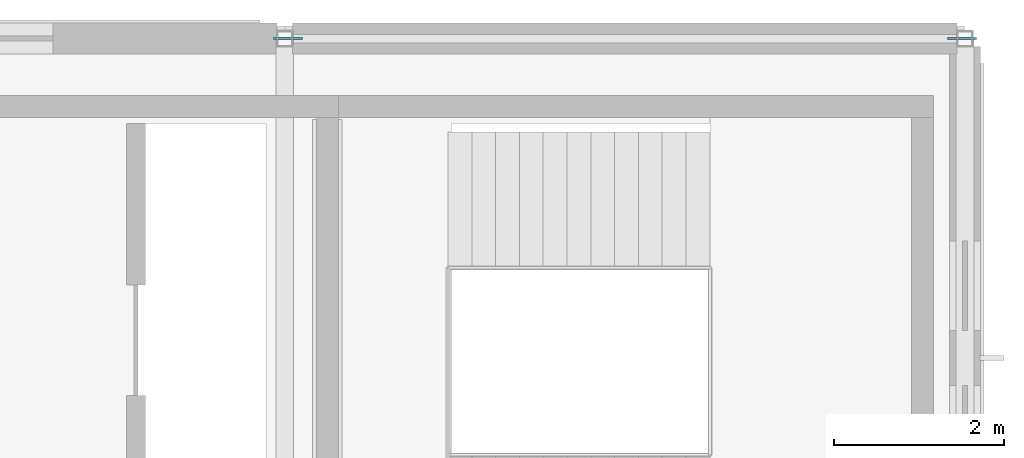
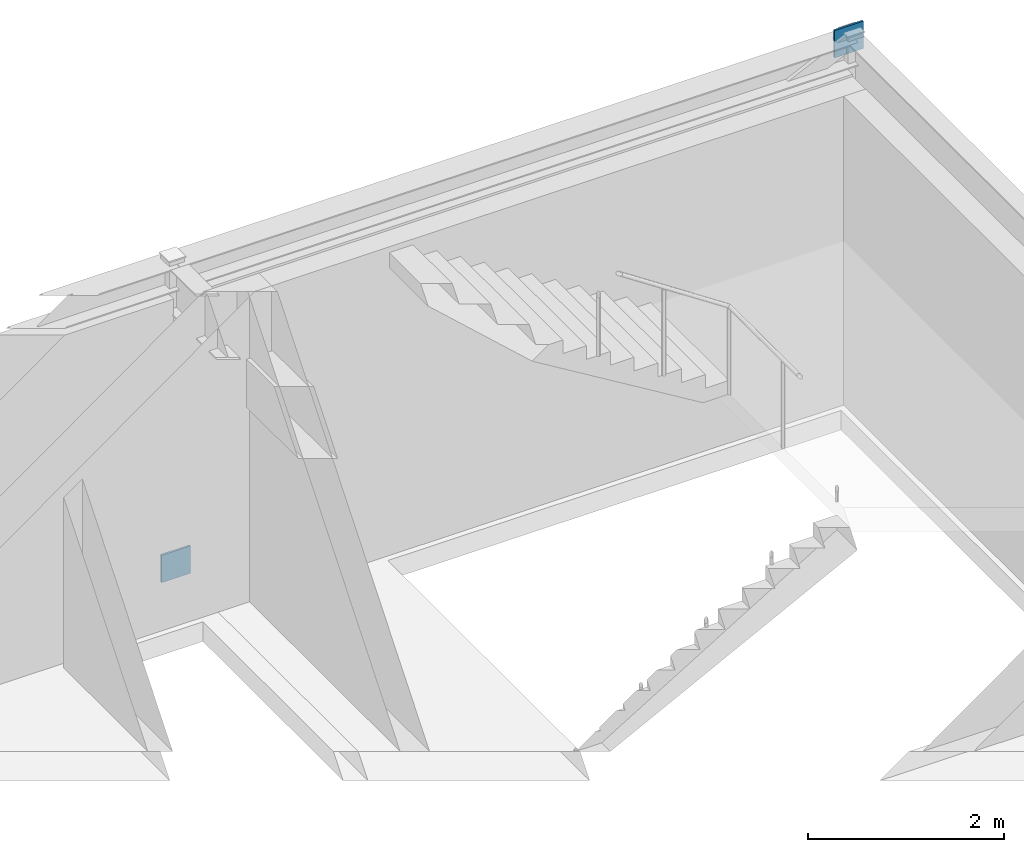
# One storey, part 25 of 26: 2 discrete accessories.
"""IFC4 building model written with IfcOpenShell, lengths in metres."""

from ifc_helpers import new_model, si_unit, direction, frame, origin, origin_2d, place, context, subcontext, project, spatial, rectangle, extrude, material, type_object, element, save


model = new_model("IFC4")

# Units and contexts
model_context = context("Model", 3, precision=1e-05, world=origin(), true_north=direction((0.0, 1.0)))
body_context = subcontext(model_context, "Body", "Model", "MODEL_VIEW")
ifc_project = project(units=[si_unit("LENGTHUNIT", "METRE"), si_unit("AREAUNIT", "SQUARE_METRE"), si_unit("VOLUMEUNIT", "CUBIC_METRE"), si_unit("PLANEANGLEUNIT", "RADIAN"), si_unit("MASSUNIT", "GRAM", prefix="KILO")], contexts=[model_context])

# Site, building, storey
site_placement = place(None, origin())
site = spatial("IfcSite", under=ifc_project, at=site_placement, CompositionType="ELEMENT")
building_placement = place(site_placement, origin())
building = spatial("IfcBuilding", under=site, at=building_placement, Name="Montecoro Central Library", CompositionType="ELEMENT")
storey_placement = place(building_placement, frame((0.0, 0.0, 21.419921875)))
storey = spatial("IfcBuildingStorey", under=building, at=storey_placement, Name="L05", CompositionType="ELEMENT", Elevation=21.419921875)

# Discrete accessories
ifc_material = material(Name="Steel S355", Category="steel")
discrete_accessory_type = type_object("IfcDiscreteAccessoryType", Name="GUSSET-PLT-01", PredefinedType="BRACKET", material=ifc_material)
for number, where, z_axis, x_axis, name in (
    (1, (149.035888671875, 119.0, -0.14306640625), (0.0, 0.0, 1.0), (1.0, 0.0, 0.0), "V5-L05-BRN1-GPA"),
    (2, (156.964111328125, 119.0, 3.6181640625), (0.0, 0.0, 1.0), (1.0, 0.0, 0.0), "V5-L05-BRN1-GPB"),
):
    element("IfcDiscreteAccessory", number, at=place(storey_placement, frame(where, z_axis=z_axis, x_axis=x_axis)), inside=storey, type_object=discrete_accessory_type, Name=name, PredefinedType="BRACKET", context=body_context, shape_type="SweptSolid", body=[
        extrude(rectangle(XDim=0.340087890625, YDim=0.02392578125, at=origin_2d()), origin(), (0.0, 0.0, 1.0), 0.340087890625),
    ])

save(model, "model.ifc")
